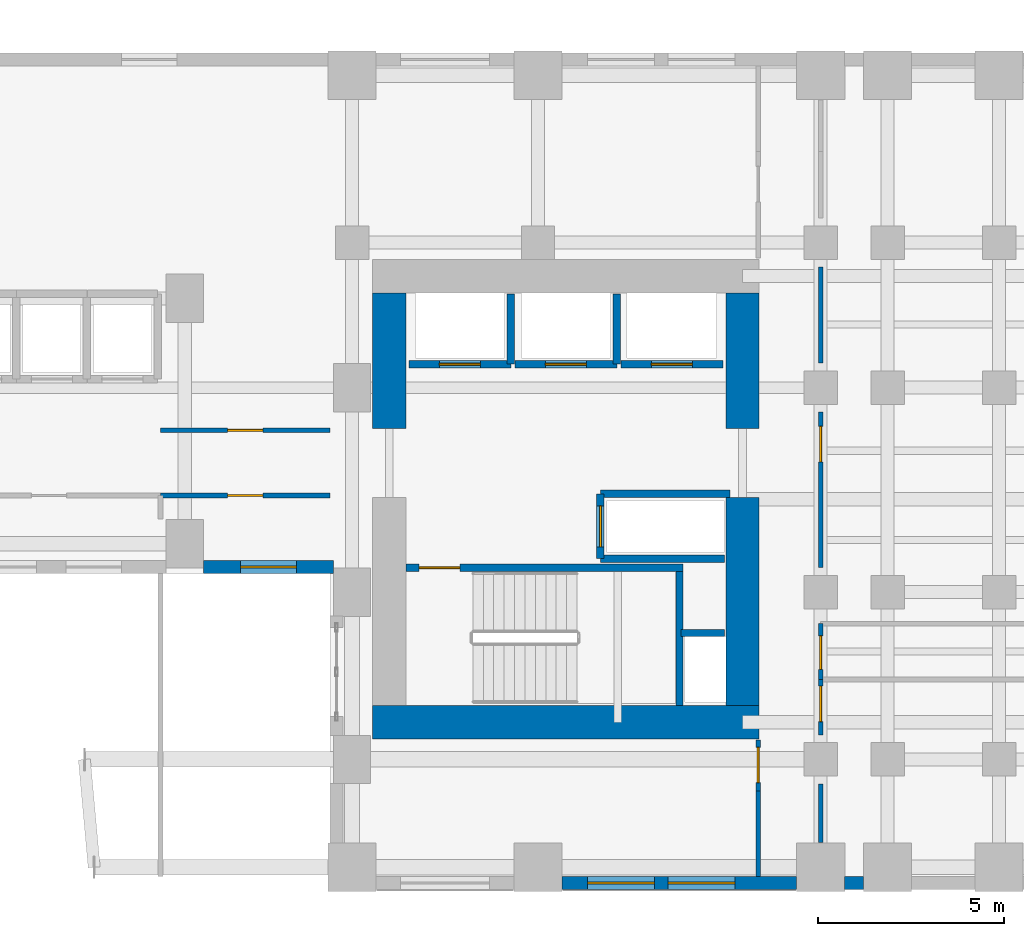
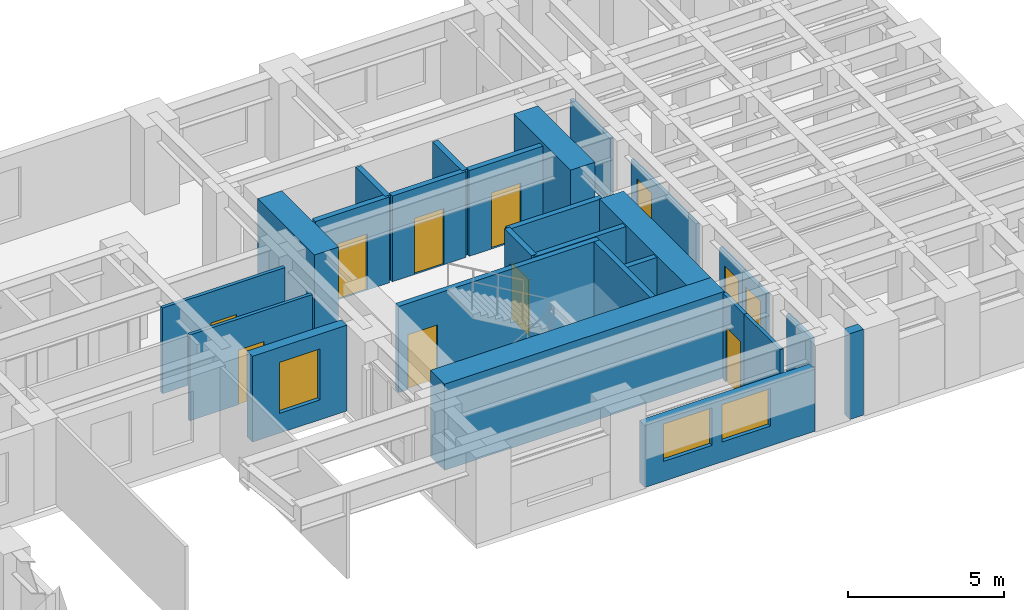
# One storey, part 10 of 14: 27 walls, 11 doors, 3 windows, 14 openings.
"""IFC4 building model written with IfcOpenShell, lengths in metres."""

from ifc_helpers import new_model, si_unit, direction, frame, frame_2d, origin, place, context, subcontext, project, spatial, rectangle, extrude, source, transform, mapped, material, layer, layer_set, type_object, element, fill, save


model = new_model("IFC4")

# Units and contexts
model_context = context("Model", 3, precision=1e-05, world=origin(), true_north=direction((0.0, 1.0)))
body_context = subcontext(model_context, "Body", "Model", "MODEL_VIEW")
ifc_project = project(units=[si_unit("LENGTHUNIT", "METRE"), si_unit("AREAUNIT", "SQUARE_METRE"), si_unit("VOLUMEUNIT", "CUBIC_METRE"), si_unit("PLANEANGLEUNIT", "RADIAN"), si_unit("MASSUNIT", "GRAM", prefix="KILO")], contexts=[model_context])

# Site, building, storey
site_placement = place(None, origin())
site = spatial("IfcSite", under=ifc_project, at=site_placement, CompositionType="ELEMENT")
building_placement = place(site_placement, origin())
building = spatial("IfcBuilding", under=site, at=building_placement, Name="Kharzan Plaza Tower", CompositionType="ELEMENT")
storey_placement = place(building_placement, frame((0.0, 0.0, 58.5)))
storey = spatial("IfcBuildingStorey", under=building, at=storey_placement, Name="L15", CompositionType="ELEMENT", Elevation=58.5)

# Wall, opening, window
ifc_material_1 = material(Name="Concrete C40/50", Category="concrete")
ifc_layer_1 = layer(ifc_material_1, 0.35009765625)
ifc_layer_set_1 = layer_set([ifc_layer_1], Name="Concrete C40/50")
wall_type_1 = type_object("IfcWallType", Name="WL-EXT-MAS-Z1", PredefinedType="SOLIDWALL", material=ifc_layer_set_1)
wall_1_placement = place(storey_placement, frame((30.998046875, 8.675048828125, 0.0), z_axis=(0.0, 0.0, 1.0), x_axis=(1.0, 0.0, 0.0)))
wall_1 = element("IfcWall", 1, at=wall_1_placement, inside=storey, type_object=wall_type_1, Name="L15 Masonry-Frame Exterior Wall 30", PredefinedType="SOLIDWALL", context=body_context, shape_type="SweptSolid", body=[
    extrude(rectangle(XDim=3.50390625, YDim=0.35009765625, at=frame_2d((1.751953125, 0.0))), origin(), (0.0, 0.0, 1.0), 3.364990234375),
])
opening_1_placement = place(wall_1_placement, frame((1.001953125, 0.0, 0.780029296875)))
opening_1 = element("IfcOpeningElement", 2, at=opening_1_placement, cuts=wall_1, Name="Opening W5", PredefinedType="OPENING", context=body_context, shape_type="SweptSolid", body=[
    extrude(rectangle(XDim=1.5, YDim=2.0, at=frame_2d((0.75, 1.0))), frame((0.0, 0.18505859375, 0.0), z_axis=(0.0, -1.0, 0.0), x_axis=(1.0, 0.0, 0.0)), (0.0, 0.0, 1.0), 0.3701171875),
])
ifc_material_2 = material(Name="Low-E Double Glazing", Category="glass")
window_type_1 = type_object("IfcWindowType", Name="WN-SLT-1500x2000", PartitioningType="SINGLE_PANEL", PredefinedType="WINDOW", material=ifc_material_2)
shared_shape_1 = source(origin(), body_context, "Body", "SweptSolid", [
    extrude(rectangle(XDim=1.5, YDim=2.0, at=frame_2d((0.75, 1.0))), frame((0.0, 0.030029296875, 0.0), z_axis=(0.0, -1.0, 0.0), x_axis=(1.0, 0.0, 0.0)), (0.0, 0.0, 1.0), 0.06005859375),
])
window_1_placement = place(opening_1_placement, origin())
window_1 = element("IfcWindow", 3, at=window_1_placement, inside=storey, type_object=window_type_1, Name="L15 Recessed Solar-Control Window 30-1", OverallHeight=2.0, OverallWidth=1.5, PartitioningType="SINGLE_PANEL", PredefinedType="WINDOW", context=body_context, shape_type="MappedRepresentation", body=[
    mapped(shared_shape_1, transform((0.0, 0.0, 0.0), x_axis=(1.0, 0.0, 0.0), y_axis=(0.0, 1.0, 0.0), z_axis=(0.0, 0.0, 1.0))),
])
fill(opening_1, window_1)

# Wall, openings, windows
wall_2_placement = place(storey_placement, frame((40.64794921875, 0.175048828125, 0.0), z_axis=(0.0, 0.0, 1.0), x_axis=(1.0, 0.0, 0.0)))
wall_2 = element("IfcWall", 4, at=wall_2_placement, inside=storey, type_object=wall_type_1, Name="L15 Masonry-Frame Exterior Wall 35", PredefinedType="SOLIDWALL", context=body_context, shape_type="SweptSolid", body=[
    extrude(rectangle(XDim=6.303955078125, YDim=0.35009765625, at=frame_2d((3.15185546875, 0.0))), origin(), (0.0, 0.0, 1.0), 2.427978515625),
])
opening_2_placement = place(wall_2_placement, frame((0.687255859375, 0.0, 0.780029296875)))
opening_2 = element("IfcOpeningElement", 5, at=opening_2_placement, cuts=wall_2, Name="Opening W1", PredefinedType="OPENING", context=body_context, shape_type="SweptSolid", body=[
    extrude(rectangle(XDim=1.800048828125, YDim=1.468017578125, at=frame_2d((0.89990234375, 0.73388671875))), frame((0.0, 0.18505859375, 0.0), z_axis=(0.0, -1.0, 0.0), x_axis=(1.0, 0.0, 0.0)), (0.0, 0.0, 1.0), 0.3701171875),
])
opening_3_placement = place(wall_2_placement, frame((2.854736328125, 0.0, 0.780029296875)))
opening_3 = element("IfcOpeningElement", 6, at=opening_3_placement, cuts=wall_2, Name="Opening W1", PredefinedType="OPENING", context=body_context, shape_type="SweptSolid", body=[
    extrude(rectangle(XDim=1.800048828125, YDim=1.468017578125, at=frame_2d((0.89990234375, 0.73388671875))), frame((0.0, 0.18505859375, 0.0), z_axis=(0.0, -1.0, 0.0), x_axis=(1.0, 0.0, 0.0)), (0.0, 0.0, 1.0), 0.3701171875),
])
window_type_2 = type_object("IfcWindowType", Name="WN-REC-1800x2100", PartitioningType="SINGLE_PANEL", PredefinedType="WINDOW", material=ifc_material_2)
shared_shape_2 = source(origin(), body_context, "Body", "SweptSolid", [
    extrude(rectangle(XDim=1.800048828125, YDim=1.468017578125, at=frame_2d((0.89990234375, 0.73388671875))), frame((0.0, 0.030029296875, 0.0), z_axis=(0.0, -1.0, 0.0), x_axis=(1.0, 0.0, 0.0)), (0.0, 0.0, 1.0), 0.06005859375),
])
window_2_placement = place(opening_2_placement, origin())
window_2 = element("IfcWindow", 7, at=window_2_placement, inside=storey, type_object=window_type_2, Name="L15 Recessed Solar-Control Window 35-1", OverallHeight=1.468017578125, OverallWidth=1.800048828125, PartitioningType="SINGLE_PANEL", PredefinedType="WINDOW", context=body_context, shape_type="MappedRepresentation", body=[
    mapped(shared_shape_2, transform((0.0, 0.0, 0.0), x_axis=(1.0, 0.0, 0.0), y_axis=(0.0, 1.0, 0.0), z_axis=(0.0, 0.0, 1.0))),
])
fill(opening_2, window_2)
window_3_placement = place(opening_3_placement, origin())
window_3 = element("IfcWindow", 8, at=window_3_placement, inside=storey, type_object=window_type_2, Name="L15 Recessed Solar-Control Window 35-2", OverallHeight=1.468017578125, OverallWidth=1.800048828125, PartitioningType="SINGLE_PANEL", PredefinedType="WINDOW", context=body_context, shape_type="MappedRepresentation", body=[
    mapped(shared_shape_2, transform((0.0, 0.0, 0.0), x_axis=(1.0, 0.0, 0.0), y_axis=(0.0, 1.0, 0.0), z_axis=(0.0, 0.0, 1.0))),
])
fill(opening_3, window_3)

# Wall, opening, door
ifc_material_3 = material(Name="Fire-Rated Gypsum Board Partition", Category="gypsum")
ifc_layer_2 = layer(ifc_material_3, 0.125)
ifc_layer_set_2 = layer_set([ifc_layer_2], Name="Fire-Rated Gypsum Board Partition")
wall_type_2 = type_object("IfcWallType", Name="WL-INT-PART-125", PredefinedType="PARTITIONING", material=ifc_layer_set_2)
wall_3_placement = place(storey_placement, frame((47.60009765625, 4.159912109375, 0.0), z_axis=(0.0, 0.0, 1.0), x_axis=(0.0, 1.0, 0.0)))
wall_3 = element("IfcWall", 9, at=wall_3_placement, inside=storey, type_object=wall_type_2, Name="L15 Interior Partition SH-B0W0", PredefinedType="PARTITIONING", context=body_context, shape_type="SweptSolid", body=[
    extrude(rectangle(XDim=1.489990234375, YDim=0.125, at=frame_2d((0.7451171875, 0.0))), origin(), (0.0, 0.0, 1.0), 2.669921875),
])
opening_4_placement = place(wall_3_placement, frame((0.360107421875, 0.0, 0.0)))
opening_4 = element("IfcOpeningElement", 10, at=opening_4_placement, cuts=wall_3, Name="Opening OD1", PredefinedType="OPENING", context=body_context, shape_type="SweptSolid", body=[
    extrude(rectangle(XDim=0.949951171875, YDim=2.14990234375, at=frame_2d((0.47509765625, 1.074951171875))), frame((0.0, 0.072509765625, 0.0), z_axis=(0.0, -1.0, 0.0), x_axis=(1.0, 0.0, 0.0)), (0.0, 0.0, 1.0), 0.14501953125),
])
ifc_material_4 = material(Name="Acoustic Solid-Core Stained Oak", Category="timber")
door_type_1 = type_object("IfcDoorType", Name="DR-OFF-SINGLE", OperationType="NOTDEFINED", PredefinedType="DOOR", material=ifc_material_4)
shared_shape_3 = source(origin(), body_context, "Body", "SweptSolid", [
    extrude(rectangle(XDim=0.949951171875, YDim=2.14990234375, at=frame_2d((0.47509765625, 1.074951171875))), frame((0.0, 0.02490234375, 0.0), z_axis=(0.0, -1.0, 0.0), x_axis=(1.0, 0.0, 0.0)), (0.0, 0.0, 1.0), 0.050048828125),
])
door_1_placement = place(opening_4_placement, origin())
door_1 = element("IfcDoor", 11, at=door_1_placement, inside=storey, type_object=door_type_1, Name="L15 Wing B South Office Door", OperationType="SINGLE_SWING_RIGHT", OverallHeight=2.14990234375, OverallWidth=0.949951171875, PredefinedType="DOOR", context=body_context, shape_type="MappedRepresentation", body=[
    mapped(shared_shape_3, transform((0.0, 0.0, 0.0), x_axis=(1.0, 0.0, 0.0), y_axis=(0.0, 1.0, 0.0), z_axis=(0.0, 0.0, 1.0))),
])
fill(opening_4, door_1)

wall_4_placement = place(storey_placement, frame((47.60009765625, 8.659912109375, 0.0), z_axis=(0.0, 0.0, 1.0), x_axis=(0.0, 1.0, 0.0)))
wall_4 = element("IfcWall", 12, at=wall_4_placement, inside=storey, type_object=wall_type_2, Name="L15 Interior Partition SH-B0W1-S1", PredefinedType="PARTITIONING", context=body_context, shape_type="SweptSolid", body=[
    extrude(rectangle(XDim=4.18017578125, YDim=0.125, at=frame_2d((2.090087890625, 0.0))), origin(), (0.0, 0.0, 1.0), 2.669921875),
])
opening_5_placement = place(wall_4_placement, frame((2.844970703125, 0.0, 0.0)))
opening_5 = element("IfcOpeningElement", 13, at=opening_5_placement, cuts=wall_4, Name="Opening OD1", PredefinedType="OPENING", context=body_context, shape_type="SweptSolid", body=[
    extrude(rectangle(XDim=0.949951171875, YDim=2.14990234375, at=frame_2d((0.47509765625, 1.074951171875))), frame((0.0, 0.072509765625, 0.0), z_axis=(0.0, -1.0, 0.0), x_axis=(1.0, 0.0, 0.0)), (0.0, 0.0, 1.0), 0.14501953125),
])
door_2_placement = place(opening_5_placement, origin())
door_2 = element("IfcDoor", 14, at=door_2_placement, inside=storey, type_object=door_type_1, Name="L15 Open Engineering Workspace Door", OperationType="SINGLE_SWING_LEFT", OverallHeight=2.14990234375, OverallWidth=0.949951171875, PredefinedType="DOOR", context=body_context, shape_type="MappedRepresentation", body=[
    mapped(shared_shape_3, transform((0.0, 0.0, 0.0), x_axis=(1.0, 0.0, 0.0), y_axis=(0.0, 1.0, 0.0), z_axis=(0.0, 0.0, 1.0))),
])
fill(opening_5, door_2)

wall_5_placement = place(storey_placement, frame((47.60009765625, 5.64990234375, 0.0), z_axis=(0.0, 0.0, 1.0), x_axis=(0.0, 1.0, 0.0)))
wall_5 = element("IfcWall", 15, at=wall_5_placement, inside=storey, type_object=wall_type_2, Name="L15 Interior Partition SH-B0WC", PredefinedType="PARTITIONING", context=body_context, shape_type="SweptSolid", body=[
    extrude(rectangle(XDim=1.5, YDim=0.125, at=frame_2d((0.75, 0.0))), origin(), (0.0, 0.0, 1.0), 2.669921875),
])
opening_6_placement = place(wall_5_placement, frame((0.27490234375, 0.0, 0.0)))
opening_6 = element("IfcOpeningElement", 16, at=opening_6_placement, cuts=wall_5, Name="Opening WD1", PredefinedType="OPENING", context=body_context, shape_type="SweptSolid", body=[
    extrude(rectangle(XDim=0.89990234375, YDim=2.14990234375, at=frame_2d((0.449951171875, 1.074951171875))), frame((0.0, 0.072509765625, 0.0), z_axis=(0.0, -1.0, 0.0), x_axis=(1.0, 0.0, 0.0)), (0.0, 0.0, 1.0), 0.14501953125),
])
ifc_material_5 = material(Name="Moisture-Resistant Fire-Rated Laminate", Category="timber")
door_type_2 = type_object("IfcDoorType", Name="DR-WC-900", OperationType="NOTDEFINED", PredefinedType="DOOR", material=ifc_material_5)
shared_shape_4 = source(origin(), body_context, "Body", "SweptSolid", [
    extrude(rectangle(XDim=0.89990234375, YDim=2.14990234375, at=frame_2d((0.449951171875, 1.074951171875))), frame((0.0, 0.02490234375, 0.0), z_axis=(0.0, -1.0, 0.0), x_axis=(1.0, 0.0, 0.0)), (0.0, 0.0, 1.0), 0.050048828125),
])
door_3_placement = place(opening_6_placement, origin())
door_3 = element("IfcDoor", 17, at=door_3_placement, inside=storey, type_object=door_type_2, Name="L15 Wing B Washroom Door", OperationType="SINGLE_SWING_LEFT", OverallHeight=2.14990234375, OverallWidth=0.89990234375, PredefinedType="DOOR", context=body_context, shape_type="MappedRepresentation", body=[
    mapped(shared_shape_4, transform((0.0, 0.0, 0.0), x_axis=(1.0, 0.0, 0.0), y_axis=(0.0, 1.0, 0.0), z_axis=(0.0, 0.0, 1.0))),
])
fill(opening_6, door_3)

wall_6_placement = place(storey_placement, frame((45.919921875, 2.64990234375, 0.0), z_axis=(0.0, 0.0, 1.0), x_axis=(0.0, 1.0, 0.0)))
wall_6 = element("IfcWall", 18, at=wall_6_placement, inside=storey, type_object=wall_type_2, Name="L15 Interior Partition SH-RBSE", PredefinedType="PARTITIONING", context=body_context, shape_type="SweptSolid", body=[
    extrude(rectangle(XDim=1.3701171875, YDim=0.125, at=frame_2d((0.68505859375, 0.0))), origin(), (0.0, 0.0, 1.0), 3.364990234375),
])
opening_7_placement = place(wall_6_placement, frame((0.22509765625, 0.0, 0.0)))
opening_7 = element("IfcOpeningElement", 19, at=opening_7_placement, cuts=wall_6, Name="Opening OD1", PredefinedType="OPENING", context=body_context, shape_type="SweptSolid", body=[
    extrude(rectangle(XDim=0.949951171875, YDim=2.14990234375, at=frame_2d((0.47509765625, 1.074951171875))), frame((0.0, 0.072509765625, 0.0), z_axis=(0.0, -1.0, 0.0), x_axis=(1.0, 0.0, 0.0)), (0.0, 0.0, 1.0), 0.14501953125),
])
door_4_placement = place(opening_7_placement, origin())
door_4 = element("IfcDoor", 20, at=door_4_placement, inside=storey, type_object=door_type_1, Name="L15 South-East Corner Office Door", OperationType="SINGLE_SWING_LEFT", OverallHeight=2.14990234375, OverallWidth=0.949951171875, PredefinedType="DOOR", context=body_context, shape_type="MappedRepresentation", body=[
    mapped(shared_shape_3, transform((0.0, 0.0, 0.0), x_axis=(1.0, 0.0, 0.0), y_axis=(0.0, 1.0, 0.0), z_axis=(0.0, 0.0, 1.0))),
])
fill(opening_7, door_4)

wall_7_placement = place(storey_placement, frame((29.85009765625, 12.35009765625, 0.0), z_axis=(0.0, 0.0, 1.0), x_axis=(1.0, 0.0, 0.0)))
wall_7 = element("IfcWall", 21, at=wall_7_placement, inside=storey, type_object=wall_type_2, Name="L15 Interior Partition SH-SPNE1", PredefinedType="PARTITIONING", context=body_context, shape_type="SweptSolid", body=[
    extrude(rectangle(XDim=4.5498046875, YDim=0.125, at=frame_2d((2.27490234375, 0.0))), origin(), (0.0, 0.0, 1.0), 3.364990234375),
])
opening_8_placement = place(wall_7_placement, frame((1.800048828125, 0.0, 0.0)))
opening_8 = element("IfcOpeningElement", 22, at=opening_8_placement, cuts=wall_7, Name="Opening OD1", PredefinedType="OPENING", context=body_context, shape_type="SweptSolid", body=[
    extrude(rectangle(XDim=0.949951171875, YDim=2.14990234375, at=frame_2d((0.47509765625, 1.074951171875))), frame((0.0, 0.072509765625, 0.0), z_axis=(0.0, -1.0, 0.0), x_axis=(1.0, 0.0, 0.0)), (0.0, 0.0, 1.0), 0.14501953125),
])
door_5_placement = place(opening_8_placement, origin())
door_5 = element("IfcDoor", 23, at=door_5_placement, inside=storey, type_object=door_type_1, Name="L15 North-East Spine Door", OperationType="SINGLE_SWING_RIGHT", OverallHeight=2.14990234375, OverallWidth=0.949951171875, PredefinedType="DOOR", context=body_context, shape_type="MappedRepresentation", body=[
    mapped(shared_shape_3, transform((0.0, 0.0, 0.0), x_axis=(1.0, 0.0, 0.0), y_axis=(0.0, 1.0, 0.0), z_axis=(0.0, 0.0, 1.0))),
])
fill(opening_8, door_5)

wall_8_placement = place(storey_placement, frame((29.85009765625, 10.60009765625, 0.0), z_axis=(0.0, 0.0, 1.0), x_axis=(1.0, 0.0, 0.0)))
wall_8 = element("IfcWall", 24, at=wall_8_placement, inside=storey, type_object=wall_type_2, Name="L15 Interior Partition SH-SPS3", PredefinedType="PARTITIONING", context=body_context, shape_type="SweptSolid", body=[
    extrude(rectangle(XDim=4.5498046875, YDim=0.125, at=frame_2d((2.27490234375, 0.0))), origin(), (0.0, 0.0, 1.0), 3.364990234375),
])
opening_9_placement = place(wall_8_placement, frame((1.800048828125, 0.0, 0.0)))
opening_9 = element("IfcOpeningElement", 25, at=opening_9_placement, cuts=wall_8, Name="Opening OD1", PredefinedType="OPENING", context=body_context, shape_type="SweptSolid", body=[
    extrude(rectangle(XDim=0.949951171875, YDim=2.14990234375, at=frame_2d((0.47509765625, 1.074951171875))), frame((0.0, 0.072509765625, 0.0), z_axis=(0.0, -1.0, 0.0), x_axis=(1.0, 0.0, 0.0)), (0.0, 0.0, 1.0), 0.14501953125),
])
door_6_placement = place(opening_9_placement, origin())
door_6 = element("IfcDoor", 26, at=door_6_placement, inside=storey, type_object=door_type_1, Name="L15 Spine Studio 3 Door", OperationType="SINGLE_SWING_RIGHT", OverallHeight=2.14990234375, OverallWidth=0.949951171875, PredefinedType="DOOR", context=body_context, shape_type="MappedRepresentation", body=[
    mapped(shared_shape_3, transform((0.0, 0.0, 0.0), x_axis=(1.0, 0.0, 0.0), y_axis=(0.0, 1.0, 0.0), z_axis=(0.0, 0.0, 1.0))),
])
fill(opening_9, door_6)

ifc_layer_3 = layer(ifc_material_1, 0.199951171875)
ifc_layer_set_3 = layer_set([ifc_layer_3], Name="Concrete C40/50")
wall_type_3 = type_object("IfcWallType", Name="WL-INT-SHAFT-200", PredefinedType="PARTITIONING", material=ifc_layer_set_3)
wall_9_placement = place(storey_placement, frame((36.530029296875, 14.1298828125, 0.0), z_axis=(0.0, 0.0, 1.0), x_axis=(1.0, 0.0, 0.0)))
wall_9 = element("IfcWall", 27, at=wall_9_placement, inside=storey, type_object=wall_type_3, Name="L15 Interior Partition SHF-PL-L1-S", PredefinedType="PARTITIONING", context=body_context, shape_type="SweptSolid", body=[
    extrude(rectangle(XDim=2.739990234375, YDim=0.199951171875, at=frame_2d((1.3701171875, 0.0))), origin(), (0.0, 0.0, 1.0), 3.364990234375),
])
opening_10_placement = place(wall_9_placement, frame((0.820068359375, 0.0, 0.0)))
opening_10 = element("IfcOpeningElement", 28, at=opening_10_placement, cuts=wall_9, Name="Opening LD", PredefinedType="OPENING", context=body_context, shape_type="SweptSolid", body=[
    extrude(rectangle(XDim=1.10009765625, YDim=2.199951171875, at=frame_2d((0.550048828125, 1.10009765625))), frame((0.0, 0.10986328125, 0.0), z_axis=(0.0, -1.0, 0.0), x_axis=(1.0, 0.0, 0.0)), (0.0, 0.0, 1.0), 0.219970703125),
])
ifc_material_6 = material(Name="Brushed Stainless Steel", Category="steel")
door_type_3 = type_object("IfcDoorType", Name="DR-LIFT-SLIDE", OperationType="SLIDING_TO_LEFT", PredefinedType="DOOR", material=ifc_material_6)
shared_shape_5 = source(origin(), body_context, "Body", "SweptSolid", [
    extrude(rectangle(XDim=1.10009765625, YDim=2.199951171875, at=frame_2d((0.550048828125, 1.10009765625))), frame((0.0, 0.02490234375, 0.0), z_axis=(0.0, -1.0, 0.0), x_axis=(1.0, 0.0, 0.0)), (0.0, 0.0, 1.0), 0.050048828125),
])
door_7_placement = place(opening_10_placement, origin())
door_7 = element("IfcDoor", 29, at=door_7_placement, inside=storey, type_object=door_type_3, Name="L15 Low-Rise Passenger Lift PL-L1 Sliding Landing Door", OperationType="SLIDING_TO_LEFT", OverallHeight=2.199951171875, OverallWidth=1.10009765625, PredefinedType="DOOR", context=body_context, shape_type="MappedRepresentation", body=[
    mapped(shared_shape_5, transform((0.0, 0.0, 0.0), x_axis=(1.0, 0.0, 0.0), y_axis=(0.0, 1.0, 0.0), z_axis=(0.0, 0.0, 1.0))),
])
fill(opening_10, door_7)

wall_10_placement = place(storey_placement, frame((39.3798828125, 14.1298828125, 0.0), z_axis=(0.0, 0.0, 1.0), x_axis=(1.0, 0.0, 0.0)))
wall_10 = element("IfcWall", 30, at=wall_10_placement, inside=storey, type_object=wall_type_3, Name="L15 Interior Partition SHF-PL-L2-S", PredefinedType="PARTITIONING", context=body_context, shape_type="SweptSolid", body=[
    extrude(rectangle(XDim=2.740234375, YDim=0.199951171875, at=frame_2d((1.3701171875, 0.0))), origin(), (0.0, 0.0, 1.0), 3.364990234375),
])
opening_11_placement = place(wall_10_placement, frame((0.820068359375, 0.0, 0.0)))
opening_11 = element("IfcOpeningElement", 31, at=opening_11_placement, cuts=wall_10, Name="Opening LD", PredefinedType="OPENING", context=body_context, shape_type="SweptSolid", body=[
    extrude(rectangle(XDim=1.10009765625, YDim=2.199951171875, at=frame_2d((0.550048828125, 1.10009765625))), frame((0.0, 0.10986328125, 0.0), z_axis=(0.0, -1.0, 0.0), x_axis=(1.0, 0.0, 0.0)), (0.0, 0.0, 1.0), 0.219970703125),
])
door_8_placement = place(opening_11_placement, origin())
door_8 = element("IfcDoor", 32, at=door_8_placement, inside=storey, type_object=door_type_3, Name="L15 Low-Rise Passenger Lift PL-L2 Sliding Landing Door", OperationType="SLIDING_TO_LEFT", OverallHeight=2.199951171875, OverallWidth=1.10009765625, PredefinedType="DOOR", context=body_context, shape_type="MappedRepresentation", body=[
    mapped(shared_shape_5, transform((0.0, 0.0, 0.0), x_axis=(1.0, 0.0, 0.0), y_axis=(0.0, 1.0, 0.0), z_axis=(0.0, 0.0, 1.0))),
])
fill(opening_11, door_8)

wall_11_placement = place(storey_placement, frame((42.22998046875, 14.1298828125, 0.0), z_axis=(0.0, 0.0, 1.0), x_axis=(1.0, 0.0, 0.0)))
wall_11 = element("IfcWall", 33, at=wall_11_placement, inside=storey, type_object=wall_type_3, Name="L15 Interior Partition SHF-PL-L3-S", PredefinedType="PARTITIONING", context=body_context, shape_type="SweptSolid", body=[
    extrude(rectangle(XDim=2.739990234375, YDim=0.199951171875, at=frame_2d((1.3701171875, 0.0))), origin(), (0.0, 0.0, 1.0), 3.364990234375),
])
opening_12_placement = place(wall_11_placement, frame((0.820068359375, 0.0, 0.0)))
opening_12 = element("IfcOpeningElement", 34, at=opening_12_placement, cuts=wall_11, Name="Opening LD", PredefinedType="OPENING", context=body_context, shape_type="SweptSolid", body=[
    extrude(rectangle(XDim=1.10009765625, YDim=2.199951171875, at=frame_2d((0.550048828125, 1.10009765625))), frame((0.0, 0.10986328125, 0.0), z_axis=(0.0, -1.0, 0.0), x_axis=(1.0, 0.0, 0.0)), (0.0, 0.0, 1.0), 0.219970703125),
])
door_9_placement = place(opening_12_placement, origin())
door_9 = element("IfcDoor", 35, at=door_9_placement, inside=storey, type_object=door_type_3, Name="L15 Low-Rise Passenger Lift PL-L3 Sliding Landing Door", OperationType="SLIDING_TO_LEFT", OverallHeight=2.199951171875, OverallWidth=1.10009765625, PredefinedType="DOOR", context=body_context, shape_type="MappedRepresentation", body=[
    mapped(shared_shape_5, transform((0.0, 0.0, 0.0), x_axis=(1.0, 0.0, 0.0), y_axis=(0.0, 1.0, 0.0), z_axis=(0.0, 0.0, 1.0))),
])
fill(opening_12, door_9)

wall_12_placement = place(storey_placement, frame((41.679931640625, 8.89990234375, 0.0), z_axis=(0.0, 0.0, 1.0), x_axis=(0.0, 1.0, 0.0)))
wall_12 = element("IfcWall", 36, at=wall_12_placement, inside=storey, type_object=wall_type_3, Name="L15 Interior Partition SHF-SVL-2-W", PredefinedType="PARTITIONING", context=body_context, shape_type="SweptSolid", body=[
    extrude(rectangle(XDim=1.739990234375, YDim=0.199951171875, at=frame_2d((0.8701171875, 0.0))), origin(), (0.0, 0.0, 1.0), 3.364990234375),
])
opening_13_placement = place(wall_12_placement, frame((0.320068359375, 0.0, 0.0)))
opening_13 = element("IfcOpeningElement", 37, at=opening_13_placement, cuts=wall_12, Name="Opening LD", PredefinedType="OPENING", context=body_context, shape_type="SweptSolid", body=[
    extrude(rectangle(XDim=1.10009765625, YDim=2.199951171875, at=frame_2d((0.550048828125, 1.10009765625))), frame((0.0, 0.10986328125, 0.0), z_axis=(0.0, -1.0, 0.0), x_axis=(1.0, 0.0, 0.0)), (0.0, 0.0, 1.0), 0.219970703125),
])
door_10_placement = place(opening_13_placement, origin())
door_10 = element("IfcDoor", 38, at=door_10_placement, inside=storey, type_object=door_type_3, Name="L15 Service Lift SVL-2 Sliding Landing Door", OperationType="SLIDING_TO_LEFT", OverallHeight=2.199951171875, OverallWidth=1.10009765625, PredefinedType="DOOR", context=body_context, shape_type="MappedRepresentation", body=[
    mapped(shared_shape_5, transform((0.0, 0.0, 0.0), x_axis=(1.0, 0.0, 0.0), y_axis=(0.0, 1.0, 0.0), z_axis=(0.0, 0.0, 1.0))),
])
fill(opening_13, door_10)

ifc_material_7 = material(Name="Concrete C50/60", Category="concrete")
ifc_layer_4 = layer(ifc_material_7, 0.199951171875)
ifc_layer_set_4 = layer_set([ifc_layer_4], Name="Concrete C50/60")
wall_type_4 = type_object("IfcWallType", Name="WL-SHAFT-RC200", PredefinedType="SHEAR", material=ifc_layer_set_4)
wall_13_placement = place(storey_placement, frame((36.451904296875, 8.655029296875, 0.0), z_axis=(0.0, 0.0, 1.0), x_axis=(1.0, 0.0, 0.0)))
wall_13 = element("IfcWall", 39, at=wall_13_placement, inside=storey, type_object=wall_type_4, Name="L15 Stair ST-3 North RC Shaft Wall", PredefinedType="SHEAR", context=body_context, shape_type="SweptSolid", body=[
    extrude(rectangle(XDim=7.453125, YDim=0.199951171875, at=frame_2d((3.7265625, 0.0))), origin(), (0.0, 0.0, 1.0), 3.3798828125),
])
opening_14_placement = place(wall_13_placement, frame((0.35009765625, 0.0, 0.0)))
opening_14 = element("IfcOpeningElement", 40, at=opening_14_placement, cuts=wall_13, Name="Opening SD1", PredefinedType="OPENING", context=body_context, shape_type="SweptSolid", body=[
    extrude(rectangle(XDim=1.10009765625, YDim=2.14990234375, at=frame_2d((0.550048828125, 1.074951171875))), frame((0.0, 0.10986328125, 0.0), z_axis=(0.0, -1.0, 0.0), x_axis=(1.0, 0.0, 0.0)), (0.0, 0.0, 1.0), 0.219970703125),
])
ifc_material_8 = material(Name="Fire-Rated Hollow Galvanized Steel", Category="steel")
door_type_4 = type_object("IfcDoorType", Name="DR-STAIR-FD120", OperationType="NOTDEFINED", PredefinedType="DOOR", material=ifc_material_8)
shared_shape_6 = source(origin(), body_context, "Body", "SweptSolid", [
    extrude(rectangle(XDim=1.10009765625, YDim=2.14990234375, at=frame_2d((0.550048828125, 1.074951171875))), frame((0.0, 0.02490234375, 0.0), z_axis=(0.0, -1.0, 0.0), x_axis=(1.0, 0.0, 0.0)), (0.0, 0.0, 1.0), 0.050048828125),
])
door_11_placement = place(opening_14_placement, origin())
door_11 = element("IfcDoor", 41, at=door_11_placement, inside=storey, type_object=door_type_4, Name="L15 Stair ST-3 Fire Exit Door", OperationType="SINGLE_SWING_RIGHT", OverallHeight=2.14990234375, OverallWidth=1.10009765625, PredefinedType="DOOR", context=body_context, shape_type="MappedRepresentation", body=[
    mapped(shared_shape_6, transform((0.0, 0.0, 0.0), x_axis=(1.0, 0.0, 0.0), y_axis=(0.0, 1.0, 0.0), z_axis=(0.0, 0.0, 1.0))),
])
fill(opening_14, door_11)

# Walls
ifc_material_9 = material(Name="Concrete C60/75", Category="concrete")
ifc_layer_5 = layer(ifc_material_9, 0.89990234375)
ifc_layer_set_5 = layer_set([ifc_layer_5], Name="Concrete C60/75")
wall_type_5 = type_object("IfcWallType", Name="WL-CORE-900", PredefinedType="SHEAR", material=ifc_layer_set_5)
shared_shape_7 = source(origin(), body_context, "Body", "SweptSolid", [
    extrude(rectangle(XDim=5.60009765625, YDim=0.89990234375, at=frame_2d((2.800048828125, 0.0))), origin(), (0.0, 0.0, 1.0), 3.3798828125),
])
wall_14_placement = place(storey_placement, frame((45.5, 4.949951171875, 0.0), z_axis=(0.0, 0.0, 1.0), x_axis=(0.0, 1.0, 0.0)))
element("IfcWall", 42, at=wall_14_placement, inside=storey, type_object=wall_type_5, Name="L15 CORE-B east shear pier 1", PredefinedType="SHEAR", context=body_context, shape_type="MappedRepresentation", body=[
    mapped(shared_shape_7, transform((0.0, 0.0, 0.0), x_axis=(1.0, 0.0, 0.0), y_axis=(0.0, 1.0, 0.0), z_axis=(0.0, 0.0, 1.0))),
])
shared_shape_8 = source(origin(), body_context, "Body", "SweptSolid", [
    extrude(rectangle(XDim=3.650146484375, YDim=0.89990234375, at=frame_2d((1.8251953125, 0.0))), origin(), (0.0, 0.0, 1.0), 3.3798828125),
])
for number, where, z_axis, x_axis, name in (
    (43, (45.5, 12.39990234375, 0.0), (0.0, 0.0, 1.0), (0.0, 1.0, 0.0), "L15 CORE-B east shear pier 2"),
    (44, (36.0, 12.39990234375, 0.0), (0.0, 0.0, 1.0), (0.0, 1.0, 0.0), "L15 CORE-B west shear pier 2"),
):
    element("IfcWall", number, at=place(storey_placement, frame(where, z_axis=z_axis, x_axis=x_axis)), inside=storey, type_object=wall_type_5, Name=name, PredefinedType="SHEAR", context=body_context, shape_type="MappedRepresentation", body=[
        mapped(shared_shape_8, transform((0.0, 0.0, 0.0), x_axis=(1.0, 0.0, 0.0), y_axis=(0.0, 1.0, 0.0), z_axis=(0.0, 0.0, 1.0))),
    ])
shared_shape_9 = source(origin(), body_context, "Body", "SweptSolid", [
    extrude(rectangle(XDim=10.39990234375, YDim=0.89990234375, at=frame_2d((5.199951171875, 0.0))), origin(), (0.0, 0.0, 1.0), 3.3798828125),
])
wall_15_placement = place(storey_placement, frame((35.550048828125, 4.5, 0.0), z_axis=(0.0, 0.0, 1.0), x_axis=(1.0, 0.0, 0.0)))
element("IfcWall", 45, at=wall_15_placement, inside=storey, type_object=wall_type_5, Name="L15 CORE-B south RC shear wall", PredefinedType="SHEAR", context=body_context, shape_type="MappedRepresentation", body=[
    mapped(shared_shape_9, transform((0.0, 0.0, 0.0), x_axis=(1.0, 0.0, 0.0), y_axis=(0.0, 1.0, 0.0), z_axis=(0.0, 0.0, 1.0))),
])
shared_shape_10 = source(origin(), body_context, "Body", "SweptSolid", [
    extrude(rectangle(XDim=0.50390625, YDim=0.35009765625, at=frame_2d((0.251953125, 0.0))), origin(), (0.0, 0.0, 1.0), 3.364990234375),
])
wall_16_placement = place(storey_placement, frame((48.248046875, 0.175048828125, 0.0), z_axis=(0.0, 0.0, 1.0), x_axis=(1.0, 0.0, 0.0)))
element("IfcWall", 46, at=wall_16_placement, inside=storey, type_object=wall_type_1, Name="L15 Masonry-Frame Exterior Wall 36", PredefinedType="SOLIDWALL", context=body_context, shape_type="MappedRepresentation", body=[
    mapped(shared_shape_10, transform((0.0, 0.0, 0.0), x_axis=(1.0, 0.0, 0.0), y_axis=(0.0, 1.0, 0.0), z_axis=(0.0, 0.0, 1.0))),
])
shared_shape_11 = source(origin(), body_context, "Body", "SweptSolid", [
    extrude(rectangle(XDim=1.580078125, YDim=0.125, at=frame_2d((0.7900390625, 0.0))), origin(), (0.0, 0.0, 1.0), 2.669921875),
])
wall_17_placement = place(storey_placement, frame((47.60009765625, 1.260009765625, 0.0), z_axis=(0.0, 0.0, 1.0), x_axis=(0.0, 1.0, 0.0)))
element("IfcWall", 47, at=wall_17_placement, inside=storey, type_object=wall_type_2, Name="L15 Interior Partition SH-B0W0S", PredefinedType="PARTITIONING", context=body_context, shape_type="MappedRepresentation", body=[
    mapped(shared_shape_11, transform((0.0, 0.0, 0.0), x_axis=(1.0, 0.0, 0.0), y_axis=(0.0, 1.0, 0.0), z_axis=(0.0, 0.0, 1.0))),
])
shared_shape_12 = source(origin(), body_context, "Body", "SweptSolid", [
    extrude(rectangle(XDim=2.580078125, YDim=0.125, at=frame_2d((1.2900390625, 0.0))), origin(), (0.0, 0.0, 1.0), 2.669921875),
])
wall_18_placement = place(storey_placement, frame((47.60009765625, 14.159912109375, 0.0), z_axis=(0.0, 0.0, 1.0), x_axis=(0.0, 1.0, 0.0)))
element("IfcWall", 48, at=wall_18_placement, inside=storey, type_object=wall_type_2, Name="L15 Interior Partition SH-B0W1-S2", PredefinedType="PARTITIONING", context=body_context, shape_type="MappedRepresentation", body=[
    mapped(shared_shape_12, transform((0.0, 0.0, 0.0), x_axis=(1.0, 0.0, 0.0), y_axis=(0.0, 1.0, 0.0), z_axis=(0.0, 0.0, 1.0))),
])
shared_shape_13 = source(origin(), body_context, "Body", "SweptSolid", [
    extrude(rectangle(XDim=2.2978515625, YDim=0.125, at=frame_2d((1.14892578125, 0.0))), origin(), (0.0, 0.0, 1.0), 3.364990234375),
])
wall_19_placement = place(storey_placement, frame((45.919921875, 0.35205078125, 0.0), z_axis=(0.0, 0.0, 1.0), x_axis=(0.0, 1.0, 0.0)))
element("IfcWall", 49, at=wall_19_placement, inside=storey, type_object=wall_type_2, Name="L15 Interior Partition SH-RBSE0", PredefinedType="PARTITIONING", context=body_context, shape_type="MappedRepresentation", body=[
    mapped(shared_shape_13, transform((0.0, 0.0, 0.0), x_axis=(1.0, 0.0, 0.0), y_axis=(0.0, 1.0, 0.0), z_axis=(0.0, 0.0, 1.0))),
])
shared_shape_14 = source(origin(), body_context, "Body", "SweptSolid", [
    extrude(rectangle(XDim=1.169921875, YDim=0.199951171875, at=frame_2d((0.5849609375, 0.0))), origin(), (0.0, 0.0, 1.0), 3.364990234375),
])
wall_20_placement = place(storey_placement, frame((43.85009765625, 6.89990234375, 0.0), z_axis=(0.0, 0.0, 1.0), x_axis=(1.0, 0.0, 0.0)))
element("IfcWall", 50, at=wall_20_placement, inside=storey, type_object=wall_type_3, Name="L15 Interior Partition CB-RSRB-N", PredefinedType="PARTITIONING", context=body_context, shape_type="MappedRepresentation", body=[
    mapped(shared_shape_14, transform((0.0, 0.0, 0.0), x_axis=(1.0, 0.0, 0.0), y_axis=(0.0, 1.0, 0.0), z_axis=(0.0, 0.0, 1.0))),
])
shared_shape_15 = source(origin(), body_context, "Body", "SweptSolid", [
    extrude(rectangle(XDim=1.89013671875, YDim=0.199951171875, at=frame_2d((0.945068359375, 0.0))), origin(), (0.0, 0.0, 1.0), 3.364990234375),
])
for number, where, z_axis, x_axis, name in (
    (51, (39.27001953125, 14.1298828125, 0.0), (0.0, 0.0, 1.0), (0.0, 1.0, 0.0), "L15 Interior Partition SHF-PL-L1-E"),
    (52, (42.1201171875, 14.1298828125, 0.0), (0.0, 0.0, 1.0), (0.0, 1.0, 0.0), "L15 Interior Partition SHF-PL-L2-E"),
):
    element("IfcWall", number, at=place(storey_placement, frame(where, z_axis=z_axis, x_axis=x_axis)), inside=storey, type_object=wall_type_3, Name=name, PredefinedType="PARTITIONING", context=body_context, shape_type="MappedRepresentation", body=[
        mapped(shared_shape_15, transform((0.0, 0.0, 0.0), x_axis=(1.0, 0.0, 0.0), y_axis=(0.0, 1.0, 0.0), z_axis=(0.0, 0.0, 1.0))),
    ])
shared_shape_16 = source(origin(), body_context, "Body", "SweptSolid", [
    extrude(rectangle(XDim=3.489990234375, YDim=0.199951171875, at=frame_2d((1.7451171875, 0.0))), origin(), (0.0, 0.0, 1.0), 3.364990234375),
])
wall_21_placement = place(storey_placement, frame((41.679931640625, 10.639892578125, 0.0), z_axis=(0.0, 0.0, 1.0), x_axis=(1.0, 0.0, 0.0)))
element("IfcWall", 53, at=wall_21_placement, inside=storey, type_object=wall_type_3, Name="L15 Interior Partition SHF-SVL-2-N", PredefinedType="PARTITIONING", context=body_context, shape_type="MappedRepresentation", body=[
    mapped(shared_shape_16, transform((0.0, 0.0, 0.0), x_axis=(1.0, 0.0, 0.0), y_axis=(0.0, 1.0, 0.0), z_axis=(0.0, 0.0, 1.0))),
])
shared_shape_17 = source(origin(), body_context, "Body", "SweptSolid", [
    extrude(rectangle(XDim=3.340087890625, YDim=0.199951171875, at=frame_2d((1.669921875, 0.0))), origin(), (0.0, 0.0, 1.0), 3.364990234375),
])
wall_22_placement = place(storey_placement, frame((41.679931640625, 8.89990234375, 0.0), z_axis=(0.0, 0.0, 1.0), x_axis=(1.0, 0.0, 0.0)))
element("IfcWall", 54, at=wall_22_placement, inside=storey, type_object=wall_type_3, Name="L15 Interior Partition SHF-SVL-2-S", PredefinedType="PARTITIONING", context=body_context, shape_type="MappedRepresentation", body=[
    mapped(shared_shape_17, transform((0.0, 0.0, 0.0), x_axis=(1.0, 0.0, 0.0), y_axis=(0.0, 1.0, 0.0), z_axis=(0.0, 0.0, 1.0))),
])
shared_shape_18 = source(origin(), body_context, "Body", "SweptSolid", [
    extrude(rectangle(XDim=3.60302734375, YDim=0.199951171875, at=frame_2d((1.801513671875, 0.0))), origin(), (0.0, 0.0, 1.0), 3.3798828125),
])
wall_23_placement = place(storey_placement, frame((43.804931640625, 4.951904296875, 0.0), z_axis=(0.0, 0.0, 1.0), x_axis=(0.0, 1.0, 0.0)))
element("IfcWall", 55, at=wall_23_placement, inside=storey, type_object=wall_type_4, Name="L15 Stair ST-3 East RC Shaft Wall", PredefinedType="SHEAR", context=body_context, shape_type="MappedRepresentation", body=[
    mapped(shared_shape_18, transform((0.0, 0.0, 0.0), x_axis=(1.0, 0.0, 0.0), y_axis=(0.0, 1.0, 0.0), z_axis=(0.0, 0.0, 1.0))),
])

save(model, "model.ifc")
